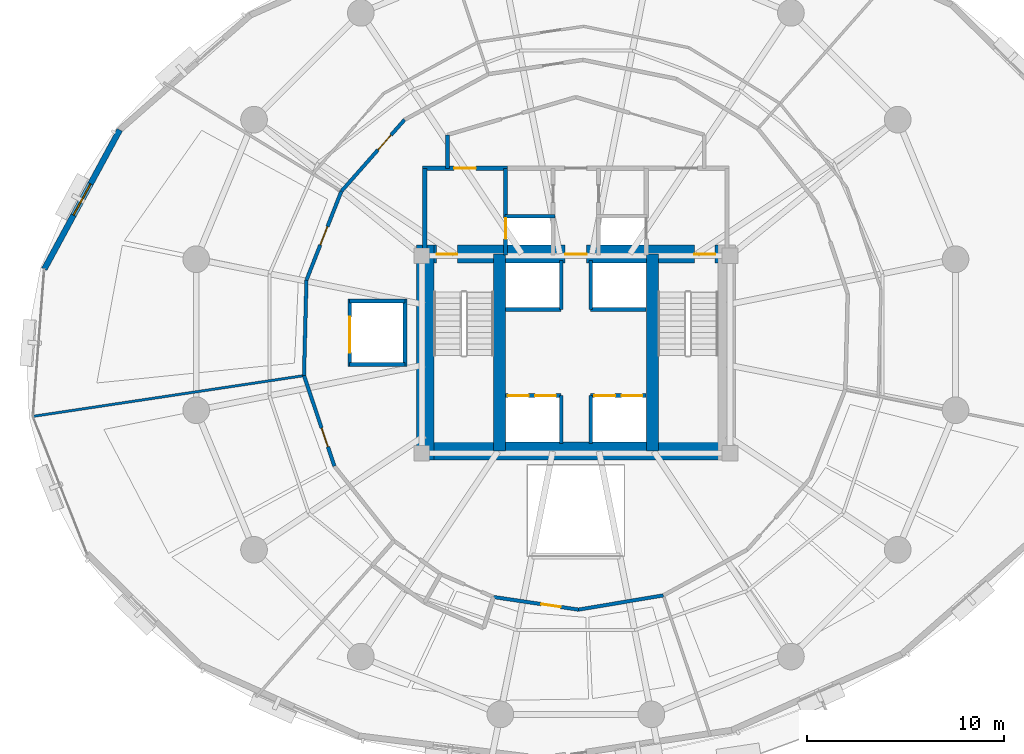
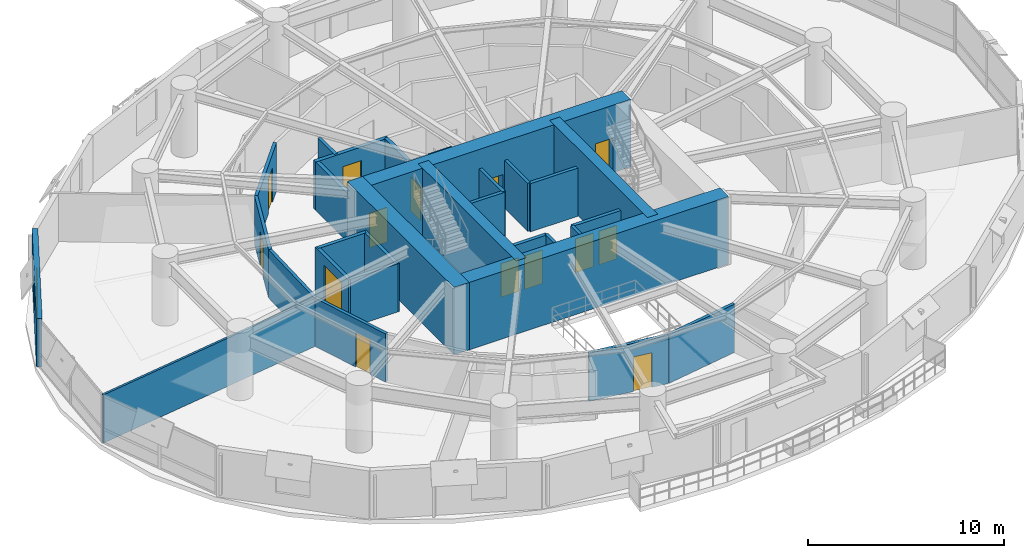
# One storey, part 12 of 17: 30 walls, 14 doors, 1 window, 15 openings.
"""IFC4 building model written with IfcOpenShell, lengths in metres."""

import ifcopenshell
import ifcopenshell.guid

model = None  # the IFC model being written
_history = None  # IfcOwnerHistory: only IFC2X3 demands one
_inside = {}  # id of a spatial element -> (the spatial element, [elements in it])
_under = {}  # id of a project, library or spatial element -> (it, [spatial elements below it])
_declared = {}  # id of a project -> (the project, [libraries it declares])
_typed = {}  # id of a type object -> (the type object, [elements of that type])
_made_of = {}  # id of a material, layer set ... -> (it, [elements and type objects made of it])


def new_model(schema):
    """Start an empty IFC model of exactly this schema.

    Asked for "IFC4X3", IfcOpenShell would pick the latest addendum, in which some entities
    have other attributes; the version numbers below select the first issue.
    IFC2X3 requires an IfcOwnerHistory on every rooted entity: one is made here for all.
    """
    global model, _history
    if schema == "IFC4X3":
        model = ifcopenshell.file(schema_version=(4, 3, 0, 0))
    else:
        model = ifcopenshell.file(schema=schema)
    _inside.clear()
    _under.clear()
    _declared.clear()
    _typed.clear()
    _made_of.clear()
    _history = None
    if model.schema == "IFC2X3":
        org = make("IfcOrganization", Name="unknown")
        user = make(
            "IfcPersonAndOrganization",
            ThePerson=make("IfcPerson", FamilyName="unknown"),
            TheOrganization=org,
        )
        app = make(
            "IfcApplication",
            ApplicationDeveloper=org,
            Version="unknown",
            ApplicationFullName="unknown",
            ApplicationIdentifier="unknown",
        )
        _history = make(
            "IfcOwnerHistory",
            OwningUser=user,
            OwningApplication=app,
            ChangeAction="ADDED",
            CreationDate=0,
        )
    return model


def make(cls, **values):
    """One entity of the class cls with the attributes given. An attribute that is None is left unset."""
    return model.create_entity(
        cls, **{name: value for name, value in values.items() if value is not None}
    )


def rooted(cls, **values):
    """An entity with a GlobalId (a new one), such as an element, a storey or a relation."""
    return make(cls, GlobalId=ifcopenshell.guid.new(), OwnerHistory=_history, **values)


def si_unit(unit_type, name, prefix=None):
    """IfcSIUnit, for example si_unit("LENGTHUNIT", "METRE", prefix="MILLI")."""
    return make("IfcSIUnit", UnitType=unit_type, Prefix=prefix, Name=name)


def assignment(units):
    """IfcUnitAssignment: the units of a project."""
    return None if units is None else make("IfcUnitAssignment", Units=units)


def point(xyz):
    """IfcCartesianPoint."""
    return None if xyz is None else make("IfcCartesianPoint", Coordinates=xyz)


def direction(xyz):
    """IfcDirection."""
    return None if xyz is None else make("IfcDirection", DirectionRatios=xyz)


def frame(location, z_axis=None, x_axis=None):
    """IfcAxis2Placement3D, a coordinate frame: its origin and axes. An axis left out is left unset."""
    return make(
        "IfcAxis2Placement3D",
        Location=point(location),
        Axis=direction(z_axis),
        RefDirection=direction(x_axis),
    )


def frame_2d(location, x_axis=None):
    """IfcAxis2Placement2D, a coordinate frame in the plane: its origin and x axis."""
    return make(
        "IfcAxis2Placement2D", Location=point(location), RefDirection=direction(x_axis)
    )


def origin():
    """The frame at (0, 0, 0) with its axes left unset."""
    return frame((0.0, 0.0, 0.0))


def place(relative_to, where):
    """IfcLocalPlacement: puts the frame where relative to a parent placement (None: the world)."""
    return make(
        "IfcLocalPlacement", PlacementRelTo=relative_to, RelativePlacement=where
    )


def context(
    kind, dimensions, precision=None, world=None, true_north=None, identifier=None
):
    """IfcGeometricRepresentationContext, for example the 3D "Model" context."""
    return make(
        "IfcGeometricRepresentationContext",
        ContextIdentifier=identifier,
        ContextType=kind,
        CoordinateSpaceDimension=dimensions,
        Precision=precision,
        WorldCoordinateSystem=world,
        TrueNorth=true_north,
    )


def subcontext(parent, identifier, kind, view, scale=None):
    """IfcGeometricRepresentationSubContext, for example "Body" below "Model"."""
    return make(
        "IfcGeometricRepresentationSubContext",
        ContextIdentifier=identifier,
        ContextType=kind,
        ParentContext=parent,
        TargetScale=scale,
        TargetView=view,
    )


def project(units=None, contexts=None):
    """IfcProject with its units and contexts."""
    return rooted(
        "IfcProject",
        Name="project",
        RepresentationContexts=contexts,
        UnitsInContext=assignment(units),
    )


def spatial(cls, under=None, at=None, **own):
    """A site, building, storey or space (cls), placed at a placement, below another one or the project."""
    s = rooted(cls, ObjectPlacement=at, **own)
    if under is not None:
        _under.setdefault(under.id(), (under, []))[1].append(s)
    return s


def profile(cls, at=None, kind="AREA", **sizes):
    """A parametric profile (cls). Its sizes go by their IFC names, for example OverallWidth=200.0."""
    return make(cls, ProfileType=kind, Position=at, **sizes)


def rectangle(**sizes):
    """IfcRectangleProfileDef."""
    return profile("IfcRectangleProfileDef", **sizes)


def extrude(swept, where, along, depth):
    """IfcExtrudedAreaSolid: the profile swept, set in the frame where, extruded along a direction by depth."""
    return make(
        "IfcExtrudedAreaSolid",
        SweptArea=swept,
        Position=where,
        ExtrudedDirection=direction(along),
        Depth=depth,
    )


def shape(context_of_items, identifier, shape_type, items):
    """IfcShapeRepresentation: the items that make up one representation, for example the "Body"."""
    return make(
        "IfcShapeRepresentation",
        ContextOfItems=context_of_items,
        RepresentationIdentifier=identifier,
        RepresentationType=shape_type,
        Items=items,
    )


def material(Name=None, Category=None):
    """IfcMaterial."""
    return make("IfcMaterial", Name=Name, Category=Category)


def layer(
    of_material, thickness, ventilated=None, Name=None, Category=None, Priority=None
):
    """IfcMaterialLayer: one layer of a wall or slab, of a material (None: an air gap)."""
    return make(
        "IfcMaterialLayer",
        Material=of_material,
        LayerThickness=thickness,
        IsVentilated=ventilated,
        Name=Name,
        Category=Category,
        Priority=Priority,
    )


def layer_set(layers, Name=None):
    """IfcMaterialLayerSet."""
    return make("IfcMaterialLayerSet", MaterialLayers=layers, LayerSetName=Name)


def made_of(thing, what):
    """Note that an element or type object is made of a material, layer set ...; save() writes the relation."""
    if what is not None:
        _made_of.setdefault(what.id(), (what, []))[1].append(thing)
    return thing


def type_object(cls, material=None, **own):
    """A type object (cls), such as IfcWallType, which elements share."""
    return made_of(rooted(cls, **own), material)


def element(
    cls,
    number,
    at=None,
    inside=None,
    cuts=None,
    type_object=None,
    material=None,
    context=None,
    identifier="Body",
    shape_type=None,
    held_by="IfcProductDefinitionShape",
    body=None,
    shapes=None,
    **own,
):
    """One element of the class cls, such as IfcWall. Its Tag is "e" and its number.

    at: its placement. inside: the storey or other place that contains it. cuts: it is an
    opening in that element (IfcRelVoidsElement). A single representation is given by context,
    identifier, shape_type and body (its items); several are given by shapes. held_by: the class
    of the entity that holds the representations. save() writes the other relations.
    """
    e = rooted(cls, Tag="e%d" % number, ObjectPlacement=at, **own)
    if body is not None:
        shapes = [shape(context, identifier, shape_type, body)]
    if shapes is not None:
        e.Representation = make(held_by, Representations=shapes)
    if inside is not None:
        _inside.setdefault(inside.id(), (inside, []))[1].append(e)
    if cuts is not None:
        rooted(
            "IfcRelVoidsElement", RelatingBuildingElement=cuts, RelatedOpeningElement=e
        )
    if type_object is not None:
        _typed.setdefault(type_object.id(), (type_object, []))[1].append(e)
    return made_of(e, material)


def fill(opening, filler):
    """IfcRelFillsElement: the door or window that sits in an opening."""
    return rooted(
        "IfcRelFillsElement",
        RelatingOpeningElement=opening,
        RelatedBuildingElement=filler,
    )


def aggregate(whole, parts):
    """IfcRelAggregates: a whole, such as a stair, and the parts it consists of."""
    return rooted("IfcRelAggregates", RelatingObject=whole, RelatedObjects=parts)


def save(model, path):
    """Write the relations noted so far, then the file.

    IfcRelAggregates (storeys below a building ...), IfcRelContainedInSpatialStructure (elements
    in a storey), IfcRelDefinesByType, IfcRelAssociatesMaterial and IfcRelDeclares: one each for
    every whole, place, type object, material and project.
    """
    for whole, parts in _under.values():
        aggregate(whole, parts)
    for where, things in _inside.values():
        rooted(
            "IfcRelContainedInSpatialStructure",
            RelatedElements=things,
            RelatingStructure=where,
        )
    for kind, things in _typed.values():
        rooted("IfcRelDefinesByType", RelatedObjects=things, RelatingType=kind)
    for what, things in _made_of.values():
        rooted("IfcRelAssociatesMaterial", RelatedObjects=things, RelatingMaterial=what)
    for by, libraries in _declared.values():
        rooted("IfcRelDeclares", RelatingContext=by, RelatedDefinitions=libraries)
    model.write(path)


model = new_model("IFC4")

# Units and contexts
model_context = context("Model", 3, precision=1e-05, world=origin(), true_north=direction((0.0, 1.0)))
body_context = subcontext(model_context, "Body", "Model", "MODEL_VIEW")
ifc_project = project(units=[si_unit("LENGTHUNIT", "METRE"), si_unit("AREAUNIT", "SQUARE_METRE"), si_unit("VOLUMEUNIT", "CUBIC_METRE"), si_unit("PLANEANGLEUNIT", "RADIAN"), si_unit("MASSUNIT", "GRAM", prefix="KILO"), si_unit("THERMODYNAMICTEMPERATUREUNIT", "KELVIN"), si_unit("POWERUNIT", "WATT")], contexts=[model_context])

# Site, building, storey
site_placement = place(None, origin())
site = spatial("IfcSite", under=ifc_project, at=site_placement, CompositionType="ELEMENT")
building_placement = place(site_placement, origin())
building = spatial("IfcBuilding", under=site, at=building_placement, Name="Ocrelia Relay Tower", CompositionType="ELEMENT")
storey_placement = place(building_placement, frame((0.0, 0.0, 67.800048828125)))
storey = spatial("IfcBuildingStorey", under=building, at=storey_placement, Name="L15", CompositionType="ELEMENT", Elevation=67.800048828125)

# Wall
ifc_material_1 = material(Name="Concrete C70/85", Category="concrete")
ifc_layer_1 = layer(ifc_material_1, 0.89990234375, Name="Concrete C70/85")
ifc_layer_set_1 = layer_set([ifc_layer_1], Name="Concrete C70/85")
wall_type_1 = type_object("IfcWallType", Name="CW-CORE-900", PredefinedType="SHEAR", material=ifc_layer_set_1)
wall_1_placement = place(storey_placement, frame((25.922119140625, 20.112060546875, 0.0), z_axis=(0.0, 0.0, 1.0), x_axis=(1.0, 0.0, 0.0)))
element("IfcWall", 1, at=wall_1_placement, inside=storey, type_object=wall_type_1, Name="L15 Core Shear Wall S", PredefinedType="SHEAR", context=body_context, shape_type="SweptSolid", body=[
    extrude(rectangle(XDim=16.165771484375, YDim=0.89990234375, at=frame_2d((8.0830078125, 0.0))), origin(), (0.0, 0.0, 1.0), 4.199951171875),
])

# Wall, openings, doors
wall_2_placement = place(storey_placement, frame((25.922119140625, 30.087890625, 0.0), z_axis=(0.0, 0.0, 1.0), x_axis=(1.0, 0.0, 0.0)))
wall_2 = element("IfcWall", 2, at=wall_2_placement, inside=storey, type_object=wall_type_1, Name="L15 Core Shear Wall N", PredefinedType="SHEAR", context=body_context, shape_type="SweptSolid", body=[
    extrude(rectangle(XDim=16.165771484375, YDim=0.89990234375, at=frame_2d((8.0830078125, 0.0))), origin(), (0.0, 0.0, 1.0), 4.199951171875),
])
opening_1_placement = place(wall_2_placement, frame((1.028076171875, 0.0, 0.0)))
opening_1 = element("IfcOpeningElement", 3, at=opening_1_placement, cuts=wall_2, Name="Opening D-FD90", PredefinedType="OPENING", context=body_context, shape_type="SweptSolid", body=[
    extrude(rectangle(XDim=1.050048828125, YDim=2.14990234375, at=frame_2d((0.52490234375, 1.074951171875))), frame((0.0, 0.4599609375, 0.0), z_axis=(0.0, -1.0, 0.0), x_axis=(1.0, 0.0, 0.0)), (0.0, 0.0, 1.0), 0.919921875),
])
opening_2_placement = place(wall_2_placement, frame((14.077880859375, 0.0, 0.0)))
opening_2 = element("IfcOpeningElement", 4, at=opening_2_placement, cuts=wall_2, Name="Opening D-FD90", PredefinedType="OPENING", context=body_context, shape_type="SweptSolid", body=[
    extrude(rectangle(XDim=1.050048828125, YDim=2.14990234375, at=frame_2d((0.52490234375, 1.074951171875))), frame((0.0, 0.4599609375, 0.0), z_axis=(0.0, -1.0, 0.0), x_axis=(1.0, 0.0, 0.0)), (0.0, 0.0, 1.0), 0.919921875),
])
opening_3_placement = place(wall_2_placement, frame((7.528076171875, 0.0, 0.0)))
opening_3 = element("IfcOpeningElement", 5, at=opening_3_placement, cuts=wall_2, Name="Opening D-FD60", PredefinedType="OPENING", context=body_context, shape_type="SweptSolid", body=[
    extrude(rectangle(XDim=1.10009765625, YDim=2.14990234375, at=frame_2d((0.550048828125, 1.074951171875))), frame((0.0, 0.4599609375, 0.0), z_axis=(0.0, -1.0, 0.0), x_axis=(1.0, 0.0, 0.0)), (0.0, 0.0, 1.0), 0.919921875),
])
ifc_material_2 = material(Name="Timber-core 60-min acoustic fire door", Category="wood")
door_type_1 = type_object("IfcDoorType", Name="DR-LOBBY-FD60-1100", OperationType="NOTDEFINED", PredefinedType="DOOR", material=ifc_material_2)
door_1_placement = place(opening_3_placement, origin())
door_1 = element("IfcDoor", 6, at=door_1_placement, inside=storey, type_object=door_type_1, Name="L15 Core Lift Lobby North Fire Door", OperationType="SINGLE_SWING_RIGHT", OverallHeight=2.14990234375, OverallWidth=1.10009765625, PredefinedType="DOOR", context=body_context, shape_type="SweptSolid", body=[
    extrude(rectangle(XDim=1.10009765625, YDim=2.14990234375, at=frame_2d((0.550048828125, 1.074951171875))), frame((0.0, 0.02490234375, 0.0), z_axis=(0.0, -1.0, 0.0), x_axis=(1.0, 0.0, 0.0)), (0.0, 0.0, 1.0), 0.050048828125),
])
fill(opening_3, door_1)
ifc_material_3 = material(Name="Steel S355 90-min fire door", Category="steel")
door_type_2 = type_object("IfcDoorType", Name="DR-STAIR-FD90-1050", OperationType="NOTDEFINED", PredefinedType="DOOR", material=ifc_material_3)
door_2_placement = place(opening_1_placement, origin())
door_2 = element("IfcDoor", 7, at=door_2_placement, inside=storey, type_object=door_type_2, Name="L15 Stair ST1 Fire Door", OperationType="SINGLE_SWING_RIGHT", OverallHeight=2.14990234375, OverallWidth=1.050048828125, PredefinedType="DOOR", context=body_context, shape_type="SweptSolid", body=[
    extrude(rectangle(XDim=1.050048828125, YDim=2.14990234375, at=frame_2d((0.52490234375, 1.074951171875))), frame((0.0, 0.02490234375, 0.0), z_axis=(0.0, -1.0, 0.0), x_axis=(1.0, 0.0, 0.0)), (0.0, 0.0, 1.0), 0.050048828125),
])
fill(opening_1, door_2)
door_3_placement = place(opening_2_placement, origin())
door_3 = element("IfcDoor", 8, at=door_3_placement, inside=storey, type_object=door_type_2, Name="L15 Stair ST2 Fire Door", OperationType="SINGLE_SWING_LEFT", OverallHeight=2.14990234375, OverallWidth=1.050048828125, PredefinedType="DOOR", context=body_context, shape_type="SweptSolid", body=[
    extrude(rectangle(XDim=1.050048828125, YDim=2.14990234375, at=frame_2d((0.52490234375, 1.074951171875))), frame((0.0, 0.02490234375, 0.0), z_axis=(0.0, -1.0, 0.0), x_axis=(1.0, 0.0, 0.0)), (0.0, 0.0, 1.0), 0.050048828125),
])
fill(opening_2, door_3)

# Walls
wall_3_placement = place(storey_placement, frame((26.3720703125, 19.662109375, 0.0), z_axis=(0.0, 0.0, 1.0), x_axis=(0.0, 1.0, 0.0)))
element("IfcWall", 9, at=wall_3_placement, inside=storey, type_object=wall_type_1, Name="L15 Core Shear Wall W", PredefinedType="SHEAR", context=body_context, shape_type="SweptSolid", body=[
    extrude(rectangle(XDim=10.8759765625, YDim=0.89990234375, at=frame_2d((5.43798828125, 0.0))), origin(), (0.0, 0.0, 1.0), 4.199951171875),
])
for number, where, z_axis, x_axis, name in (
    (10, (30.137939453125, 20.112060546875, 0.0), (0.0, 0.0, 1.0), (0.0, 1.0, 0.0), "L15 Core Shear Wall SPW"),
    (11, (37.8720703125, 20.112060546875, 0.0), (0.0, 0.0, 1.0), (0.0, 1.0, 0.0), "L15 Core Shear Wall SPE"),
):
    element("IfcWall", number, at=place(storey_placement, frame(where, z_axis=z_axis, x_axis=x_axis)), inside=storey, type_object=wall_type_1, Name=name, PredefinedType="SHEAR", context=body_context, shape_type="SweptSolid", body=[
        extrude(rectangle(XDim=9.975830078125, YDim=0.60009765625, at=frame_2d((4.98779296875, 0.0))), origin(), (0.0, 0.0, 1.0), 4.199951171875),
    ])
ifc_material_4 = material(Name="Gypsum Fireboard Partition EI60", Category="gypsum")
ifc_layer_2 = layer(ifc_material_4, 0.179931640625, Name="Gypsum Fireboard Partition EI60")
ifc_layer_set_2 = layer_set([ifc_layer_2], Name="Gypsum Fireboard Partition EI60")
wall_type_2 = type_object("IfcWallType", Name="W-CORR-EI60-180", PredefinedType="PARTITIONING", material=ifc_layer_set_2)
wall_4_placement = place(storey_placement, frame((27.5, 34.429931640625, 0.0), z_axis=(0.0, 0.0, 1.0), x_axis=(0.0, 1.0, 0.0)))
element("IfcWall", 12, at=wall_4_placement, inside=storey, type_object=wall_type_2, Name="L15 Smoke Lobby West Return", PredefinedType="PARTITIONING", context=body_context, shape_type="SweptSolid", body=[
    extrude(rectangle(XDim=1.69287109375, YDim=0.179931640625, at=frame_2d((0.846435546875, 0.0))), origin(), (0.0, 0.0, 1.0), 3.0),
])

# Wall, opening, door
wall_5_placement = place(storey_placement, frame((29.82568359375, 12.720703125, 0.0), z_axis=(0.0, 0.0, 1.0), x_axis=(0.989138956835, -0.146983414272, 0.0)))
wall_5 = element("IfcWall", 13, at=wall_5_placement, inside=storey, type_object=wall_type_2, Name="L15 Operations Control Office A Corridor Partition 1", PredefinedType="PARTITIONING", context=body_context, shape_type="SweptSolid", body=[
    extrude(rectangle(XDim=4.355224609375, YDim=0.179931640625, at=frame_2d((2.177734375, 0.0))), origin(), (0.0, 0.0, 1.0), 3.0),
])
opening_4_placement = place(wall_5_placement, frame((2.44140625, 0.0, 0.0)))
opening_4 = element("IfcOpeningElement", 14, at=opening_4_placement, cuts=wall_5, Name="Opening D-RM100", PredefinedType="OPENING", context=body_context, shape_type="SweptSolid", body=[
    extrude(rectangle(XDim=1.0, YDim=2.14990234375, at=frame_2d((0.5, 1.074951171875))), frame((0.0, 0.10009765625, 0.0), z_axis=(0.0, -1.0, 0.0), x_axis=(1.0, 0.0, 0.0)), (0.0, 0.0, 1.0), 0.199951171875),
])
ifc_material_5 = material(Name="Acoustic oak veneer fire door", Category="wood")
door_type_3 = type_object("IfcDoorType", Name="DR-ROOM-FD60-1000", OperationType="NOTDEFINED", PredefinedType="DOOR", material=ifc_material_5)
door_4_placement = place(opening_4_placement, origin())
door_4 = element("IfcDoor", 15, at=door_4_placement, inside=storey, type_object=door_type_3, Name="L15 Operations Control Office A Entrance Door", OperationType="SINGLE_SWING_RIGHT", OverallHeight=2.14990234375, OverallWidth=1.0, PredefinedType="DOOR", context=body_context, shape_type="SweptSolid", body=[
    extrude(rectangle(XDim=1.0, YDim=2.14990234375, at=frame_2d((0.5, 1.074951171875))), frame((0.0, 0.02490234375, 0.0), z_axis=(0.0, -1.0, 0.0), x_axis=(1.0, 0.0, 0.0)), (0.0, 0.0, 1.0), 0.050048828125),
])
fill(opening_4, door_4)

# Wall
wall_6_placement = place(storey_placement, frame((34.133544921875, 12.08056640625, 0.0), z_axis=(0.0, 0.0, 1.0), x_axis=(0.986138216839, 0.165925939168, 0.0)))
element("IfcWall", 16, at=wall_6_placement, inside=storey, type_object=wall_type_2, Name="L15 Operations Control Office A Corridor Partition 2", PredefinedType="PARTITIONING", context=body_context, shape_type="SweptSolid", body=[
    extrude(rectangle(XDim=4.355224609375, YDim=0.179931640625, at=frame_2d((2.177734375, 0.0))), origin(), (0.0, 0.0, 1.0), 3.0),
])

# Wall, opening, door
wall_7_placement = place(storey_placement, frame((25.3251953125, 36.88623046875, 0.0), z_axis=(0.0, 0.0, 1.0), x_axis=(-0.661965641577, -0.74953418159, 0.0)))
wall_7 = element("IfcWall", 17, at=wall_7_placement, inside=storey, type_object=wall_type_2, Name="L15 Systems Office C Corridor Partition 2", PredefinedType="PARTITIONING", context=body_context, shape_type="SweptSolid", body=[
    extrude(rectangle(XDim=4.83447265625, YDim=0.179931640625, at=frame_2d((2.417236328125, 0.0))), origin(), (0.0, 0.0, 1.0), 3.0),
])
opening_5_placement = place(wall_7_placement, frame((1.03369140625, 0.0, 0.0)))
opening_5 = element("IfcOpeningElement", 18, at=opening_5_placement, cuts=wall_7, Name="Opening D-RM100", PredefinedType="OPENING", context=body_context, shape_type="SweptSolid", body=[
    extrude(rectangle(XDim=1.0, YDim=2.14990234375, at=frame_2d((0.5, 1.074951171875))), frame((0.0, 0.10009765625, 0.0), z_axis=(0.0, -1.0, 0.0), x_axis=(1.0, 0.0, 0.0)), (0.0, 0.0, 1.0), 0.199951171875),
])
door_5_placement = place(opening_5_placement, origin())
door_5 = element("IfcDoor", 19, at=door_5_placement, inside=storey, type_object=door_type_3, Name="L15 Systems Office C Entrance Door", OperationType="SINGLE_SWING_RIGHT", OverallHeight=2.14990234375, OverallWidth=1.0, PredefinedType="DOOR", context=body_context, shape_type="SweptSolid", body=[
    extrude(rectangle(XDim=1.0, YDim=2.14990234375, at=frame_2d((0.5, 1.074951171875))), frame((0.0, 0.02490234375, 0.0), z_axis=(0.0, -1.0, 0.0), x_axis=(1.0, 0.0, 0.0)), (0.0, 0.0, 1.0), 0.050048828125),
])
fill(opening_5, door_5)

wall_8_placement = place(storey_placement, frame((22.125, 33.2626953125, 0.0), z_axis=(0.0, 0.0, 1.0), x_axis=(-0.365724243793, -0.930723255056, 0.0)))
wall_8 = element("IfcWall", 20, at=wall_8_placement, inside=storey, type_object=wall_type_2, Name="L15 Carrier Briefing Room Corridor Partition 1", PredefinedType="PARTITIONING", context=body_context, shape_type="SweptSolid", body=[
    extrude(rectangle(XDim=4.83447265625, YDim=0.179931640625, at=frame_2d((2.417236328125, 0.0))), origin(), (0.0, 0.0, 1.0), 3.0),
])
opening_6_placement = place(wall_8_placement, frame((1.917236328125, 0.0, 0.0)))
opening_6 = element("IfcOpeningElement", 21, at=opening_6_placement, cuts=wall_8, Name="Opening D-RM100", PredefinedType="OPENING", context=body_context, shape_type="SweptSolid", body=[
    extrude(rectangle(XDim=1.0, YDim=2.14990234375, at=frame_2d((0.5, 1.074951171875))), frame((0.0, 0.10009765625, 0.0), z_axis=(0.0, -1.0, 0.0), x_axis=(1.0, 0.0, 0.0)), (0.0, 0.0, 1.0), 0.199951171875),
])
door_6_placement = place(opening_6_placement, origin())
door_6 = element("IfcDoor", 22, at=door_6_placement, inside=storey, type_object=door_type_3, Name="L15 Carrier Briefing Room Entrance Door", OperationType="SINGLE_SWING_RIGHT", OverallHeight=2.14990234375, OverallWidth=1.0, PredefinedType="DOOR", context=body_context, shape_type="SweptSolid", body=[
    extrude(rectangle(XDim=1.0, YDim=2.14990234375, at=frame_2d((0.5, 1.074951171875))), frame((0.0, 0.02490234375, 0.0), z_axis=(0.0, -1.0, 0.0), x_axis=(1.0, 0.0, 0.0)), (0.0, 0.0, 1.0), 0.050048828125),
])
fill(opening_6, door_6)

# Wall
wall_9_placement = place(storey_placement, frame((20.35693359375, 28.76318359375, 0.0), z_axis=(0.0, 0.0, 1.0), x_axis=(-0.025301319276, -0.99967987038, 0.0)))
element("IfcWall", 23, at=wall_9_placement, inside=storey, type_object=wall_type_2, Name="L15 Carrier Briefing Room Corridor Partition 2", PredefinedType="PARTITIONING", context=body_context, shape_type="SweptSolid", body=[
    extrude(rectangle(XDim=4.834228515625, YDim=0.179931640625, at=frame_2d((2.4169921875, 0.0))), origin(), (0.0, 0.0, 1.0), 3.0),
])

# Wall, opening, door
wall_10_placement = place(storey_placement, frame((20.234619140625, 23.930419921875, 0.0), z_axis=(0.0, 0.0, 1.0), x_axis=(0.31816640529, -0.948034882557, 0.0)))
wall_10 = element("IfcWall", 24, at=wall_10_placement, inside=storey, type_object=wall_type_2, Name="L15 Network Monitoring Studio Corridor Partition 1", PredefinedType="PARTITIONING", context=body_context, shape_type="SweptSolid", body=[
    extrude(rectangle(XDim=4.834228515625, YDim=0.179931640625, at=frame_2d((2.4169921875, 0.0))), origin(), (0.0, 0.0, 1.0), 3.0),
])
opening_7_placement = place(wall_10_placement, frame((2.80078125, 0.0, 0.0)))
opening_7 = element("IfcOpeningElement", 25, at=opening_7_placement, cuts=wall_10, Name="Opening D-RM100", PredefinedType="OPENING", context=body_context, shape_type="SweptSolid", body=[
    extrude(rectangle(XDim=1.0, YDim=2.14990234375, at=frame_2d((0.5, 1.074951171875))), frame((0.0, 0.10009765625, 0.0), z_axis=(0.0, -1.0, 0.0), x_axis=(1.0, 0.0, 0.0)), (0.0, 0.0, 1.0), 0.199951171875),
])
door_7_placement = place(opening_7_placement, origin())
door_7 = element("IfcDoor", 26, at=door_7_placement, inside=storey, type_object=door_type_3, Name="L15 Network Monitoring Studio Entrance Door", OperationType="SINGLE_SWING_LEFT", OverallHeight=2.14990234375, OverallWidth=1.0, PredefinedType="DOOR", context=body_context, shape_type="SweptSolid", body=[
    extrude(rectangle(XDim=1.0, YDim=2.14990234375, at=frame_2d((0.5, 1.074951171875))), frame((0.0, 0.02490234375, 0.0), z_axis=(0.0, -1.0, 0.0), x_axis=(1.0, 0.0, 0.0)), (0.0, 0.0, 1.0), 0.050048828125),
])
fill(opening_7, door_7)

# Wall, opening, window
ifc_material_6 = material(Name="Precast concrete C40/50 with oxide terracotta", Category="masonry")
ifc_layer_3 = layer(ifc_material_6, 0.300048828125, Name="Precast concrete C40/50 with oxide terracotta")
ifc_layer_set_3 = layer_set([ifc_layer_3], Name="Precast concrete C40/50 with oxide terracotta")
wall_type_3 = type_object("IfcWallType", Name="W-EXT-TERR-300", PredefinedType="SOLIDWALL", material=ifc_layer_set_3)
wall_11_placement = place(storey_placement, frame((10.905029296875, 36.373046875, 0.0), z_axis=(0.0, 0.0, 1.0), x_axis=(-0.476385116332, -0.879236726336, 0.0)))
wall_11 = element("IfcWall", 27, at=wall_11_placement, inside=storey, type_object=wall_type_3, Name="L15 Oxide Terracotta Facade Wall 08", PredefinedType="SOLIDWALL", context=body_context, shape_type="SweptSolid", body=[
    extrude(rectangle(XDim=8.021484375, YDim=0.300048828125, at=frame_2d((4.0107421875, 0.0))), origin(), (0.0, 0.0, 1.0), 3.0),
])
opening_8_placement = place(wall_11_placement, frame((3.111083984375, 0.0, 0.800048828125)))
opening_8 = element("IfcOpeningElement", 28, at=opening_8_placement, cuts=wall_11, Name="Opening W-02", PredefinedType="OPENING", context=body_context, shape_type="SweptSolid", body=[
    extrude(rectangle(XDim=1.800048828125, YDim=1.949951171875, at=frame_2d((0.89990234375, 0.97509765625))), frame((0.0, 0.16015625, 0.0), z_axis=(0.0, -1.0, 0.0), x_axis=(1.0, 0.0, 0.0)), (0.0, 0.0, 1.0), 0.320068359375),
])
ifc_material_7 = material(Name="Clear double-glazed low-E glass", Category="glass")
window_type = type_object("IfcWindowType", Name="WIN-Z1-1800x2100", PartitioningType="DOUBLE_PANEL_VERTICAL", PredefinedType="WINDOW", material=ifc_material_7)
window_placement = place(opening_8_placement, origin())
window = element("IfcWindow", 29, at=window_placement, inside=storey, type_object=window_type, Name="L15 Facade Module Window 08", OverallHeight=1.949951171875, OverallWidth=1.800048828125, PartitioningType="SINGLE_PANEL", PredefinedType="WINDOW", context=body_context, shape_type="SweptSolid", body=[
    extrude(rectangle(XDim=1.800048828125, YDim=1.949951171875, at=frame_2d((0.89990234375, 0.97509765625))), frame((0.0, 0.030029296875, 0.0), z_axis=(0.0, -1.0, 0.0), x_axis=(1.0, 0.0, 0.0)), (0.0, 0.0, 1.0), 0.06005859375),
])
fill(opening_8, window)

# Wall
ifc_material_8 = material(Name="Concrete C50/60", Category="concrete")
ifc_layer_4 = layer(ifc_material_8, 0.219970703125, Name="Concrete C50/60")
ifc_layer_set_4 = layer_set([ifc_layer_4], Name="Concrete C50/60")
wall_type_4 = type_object("IfcWallType", Name="W-FFL-EI120-220", PredefinedType="SOLIDWALL", material=ifc_layer_set_4)
wall_12_placement = place(storey_placement, frame((26.35009765625, 30.050048828125, 0.0), z_axis=(0.0, 0.0, 1.0), x_axis=(0.0, 1.0, 0.0)))
element("IfcWall", 30, at=wall_12_placement, inside=storey, type_object=wall_type_4, Name="L15 W Fire Service Lift Lobby West Wall", PredefinedType="SOLIDWALL", context=body_context, shape_type="SweptSolid", body=[
    extrude(rectangle(XDim=4.3798828125, YDim=0.219970703125, at=frame_2d((2.18994140625, 0.0))), origin(), (0.0, 0.0, 1.0), 3.0),
])

# Wall, opening, door
wall_13_placement = place(storey_placement, frame((30.43994140625, 30.050048828125, 0.0), z_axis=(0.0, 0.0, 1.0), x_axis=(0.0, 1.0, 0.0)))
wall_13 = element("IfcWall", 31, at=wall_13_placement, inside=storey, type_object=wall_type_4, Name="L15 W Fire Service Lift Lobby East Wall", PredefinedType="SOLIDWALL", context=body_context, shape_type="SweptSolid", body=[
    extrude(rectangle(XDim=4.3798828125, YDim=0.219970703125, at=frame_2d((2.18994140625, 0.0))), origin(), (0.0, 0.0, 1.0), 3.0),
])
opening_9_placement = place(wall_13_placement, frame((0.800048828125, 0.0, 0.0)))
opening_9 = element("IfcOpeningElement", 32, at=opening_9_placement, cuts=wall_13, Name="Opening LD-FFL1", PredefinedType="OPENING", context=body_context, shape_type="SweptSolid", body=[
    extrude(rectangle(XDim=1.050048828125, YDim=2.10009765625, at=frame_2d((0.52490234375, 1.050048828125))), frame((0.0, 0.1201171875, 0.0), z_axis=(0.0, -1.0, 0.0), x_axis=(1.0, 0.0, 0.0)), (0.0, 0.0, 1.0), 0.239990234375),
])
ifc_material_9 = material(Name="Brushed stainless steel S355 lift landing door", Category="steel")
door_type_4 = type_object("IfcDoorType", Name="DR-LIFT-LAND-1050", OperationType="DOUBLE_DOOR_SLIDING", PredefinedType="USERDEFINED", material=ifc_material_9)
door_8_placement = place(opening_9_placement, origin())
door_8 = element("IfcDoor", 33, at=door_8_placement, inside=storey, type_object=door_type_4, Name="L15 Firefighting Lift FFL1 Sliding Landing Door", ObjectType="LANDING DOOR", OperationType="DOUBLE_DOOR_SLIDING", OverallHeight=2.10009765625, OverallWidth=1.050048828125, PredefinedType="USERDEFINED", context=body_context, shape_type="SweptSolid", body=[
    extrude(rectangle(XDim=1.050048828125, YDim=2.10009765625, at=frame_2d((0.52490234375, 1.050048828125))), frame((0.0, 0.02490234375, 0.0), z_axis=(0.0, -1.0, 0.0), x_axis=(1.0, 0.0, 0.0)), (0.0, 0.0, 1.0), 0.050048828125),
])
fill(opening_9, door_8)

wall_14_placement = place(storey_placement, frame((26.239990234375, 34.429931640625, 0.0), z_axis=(0.0, 0.0, 1.0), x_axis=(1.0, 0.0, 0.0)))
wall_14 = element("IfcWall", 34, at=wall_14_placement, inside=storey, type_object=wall_type_4, Name="L15 W Fire Service Lift Lobby North Wall", PredefinedType="SOLIDWALL", context=body_context, shape_type="SweptSolid", body=[
    extrude(rectangle(XDim=4.31005859375, YDim=0.219970703125, at=frame_2d((2.155029296875, 0.0))), origin(), (0.0, 0.0, 1.0), 3.0),
])
opening_10_placement = place(wall_14_placement, frame((1.60009765625, 0.0, 0.0)))
opening_10 = element("IfcOpeningElement", 35, at=opening_10_placement, cuts=wall_14, Name="Opening D-FD60", PredefinedType="OPENING", context=body_context, shape_type="SweptSolid", body=[
    extrude(rectangle(XDim=1.10009765625, YDim=2.14990234375, at=frame_2d((0.550048828125, 1.074951171875))), frame((0.0, 0.1201171875, 0.0), z_axis=(0.0, -1.0, 0.0), x_axis=(1.0, 0.0, 0.0)), (0.0, 0.0, 1.0), 0.239990234375),
])
door_9_placement = place(opening_10_placement, origin())
door_9 = element("IfcDoor", 36, at=door_9_placement, inside=storey, type_object=door_type_1, Name="L15 W Fire Service Lift Lobby Exit Door", OperationType="SINGLE_SWING_LEFT", OverallHeight=2.14990234375, OverallWidth=1.10009765625, PredefinedType="DOOR", context=body_context, shape_type="SweptSolid", body=[
    extrude(rectangle(XDim=1.10009765625, YDim=2.14990234375, at=frame_2d((0.550048828125, 1.074951171875))), frame((0.0, 0.02490234375, 0.0), z_axis=(0.0, -1.0, 0.0), x_axis=(1.0, 0.0, 0.0)), (0.0, 0.0, 1.0), 0.050048828125),
])
fill(opening_10, door_9)

# Walls
ifc_material_10 = material(Name="Acoustic Fireboard Partition EI60", Category="gypsum")
ifc_layer_5 = layer(ifc_material_10, 0.125, Name="Acoustic Fireboard Partition EI60")
ifc_layer_set_5 = layer_set([ifc_layer_5], Name="Acoustic Fireboard Partition EI60")
wall_type_5 = type_object("IfcWallType", Name="W-PART-125", PredefinedType="PARTITIONING", material=ifc_layer_set_5)
wall_15_placement = place(storey_placement, frame((20.234619140625, 23.930419921875, 0.0), z_axis=(0.0, 0.0, 1.0), x_axis=(-0.988887271611, -0.148667293128, 0.0)))
element("IfcWall", 37, at=wall_15_placement, inside=storey, type_object=wall_type_5, Name="L15 Carrier Briefing Room Radial Partition", PredefinedType="PARTITIONING", context=body_context, shape_type="SweptSolid", body=[
    extrude(rectangle(XDim=13.8798828125, YDim=0.125, at=frame_2d((6.93994140625, 0.0))), origin(), (0.0, 0.0, 1.0), 3.0),
])
ifc_layer_6 = layer(ifc_material_8, 0.199951171875, Name="Concrete C50/60")
ifc_layer_set_6 = layer_set([ifc_layer_6], Name="Concrete C50/60")
wall_type_6 = type_object("IfcWallType", Name="W-SHAFT-EI120-200", PredefinedType="SOLIDWALL", material=ifc_layer_set_6)
wall_16_placement = place(storey_placement, frame((30.39990234375, 32.0, 0.0), z_axis=(0.0, 0.0, 1.0), x_axis=(1.0, 0.0, 0.0)))
element("IfcWall", 38, at=wall_16_placement, inside=storey, type_object=wall_type_6, Name="L15 FFL1 Hoistway North Wall", PredefinedType="SOLIDWALL", context=body_context, shape_type="SweptSolid", body=[
    extrude(rectangle(XDim=2.550048828125, YDim=0.199951171875, at=frame_2d((1.27490234375, 0.0))), origin(), (0.0, 0.0, 1.0), 3.0),
])

# Wall, openings, doors
wall_17_placement = place(storey_placement, frame((30.43994140625, 22.919921875, 0.0), z_axis=(0.0, 0.0, 1.0), x_axis=(1.0, 0.0, 0.0)))
wall_17 = element("IfcWall", 39, at=wall_17_placement, inside=storey, type_object=wall_type_6, Name="L15 Low-Rise Lift Hoistway Wall W", PredefinedType="SOLIDWALL", context=body_context, shape_type="SweptSolid", body=[
    extrude(rectangle(XDim=2.81005859375, YDim=0.199951171875, at=frame_2d((1.405029296875, 0.0))), origin(), (0.0, 0.0, 1.0), 3.0),
])
opening_11_placement = place(wall_17_placement, frame((0.1201171875, 0.0, 0.0)))
opening_11 = element("IfcOpeningElement", 40, at=opening_11_placement, cuts=wall_17, Name="Opening LD-PL1", PredefinedType="OPENING", context=body_context, shape_type="SweptSolid", body=[
    extrude(rectangle(XDim=1.050048828125, YDim=2.10009765625, at=frame_2d((0.52490234375, 1.050048828125))), frame((0.0, 0.10986328125, 0.0), z_axis=(0.0, -1.0, 0.0), x_axis=(1.0, 0.0, 0.0)), (0.0, 0.0, 1.0), 0.219970703125),
])
opening_12_placement = place(wall_17_placement, frame((1.5, 0.0, 0.0)))
opening_12 = element("IfcOpeningElement", 41, at=opening_12_placement, cuts=wall_17, Name="Opening LD-PL2", PredefinedType="OPENING", context=body_context, shape_type="SweptSolid", body=[
    extrude(rectangle(XDim=1.050048828125, YDim=2.10009765625, at=frame_2d((0.52490234375, 1.050048828125))), frame((0.0, 0.10986328125, 0.0), z_axis=(0.0, -1.0, 0.0), x_axis=(1.0, 0.0, 0.0)), (0.0, 0.0, 1.0), 0.219970703125),
])
door_10_placement = place(opening_11_placement, origin())
door_10 = element("IfcDoor", 42, at=door_10_placement, inside=storey, type_object=door_type_4, Name="L15 Passenger Lift PL1 Sliding Landing Door", ObjectType="LANDING DOOR", OperationType="DOUBLE_DOOR_SLIDING", OverallHeight=2.10009765625, OverallWidth=1.050048828125, PredefinedType="USERDEFINED", context=body_context, shape_type="SweptSolid", body=[
    extrude(rectangle(XDim=1.050048828125, YDim=2.10009765625, at=frame_2d((0.52490234375, 1.050048828125))), frame((0.0, 0.02490234375, 0.0), z_axis=(0.0, -1.0, 0.0), x_axis=(1.0, 0.0, 0.0)), (0.0, 0.0, 1.0), 0.050048828125),
])
fill(opening_11, door_10)
door_11_placement = place(opening_12_placement, origin())
door_11 = element("IfcDoor", 43, at=door_11_placement, inside=storey, type_object=door_type_4, Name="L15 Passenger Lift PL2 Sliding Landing Door", ObjectType="LANDING DOOR", OperationType="DOUBLE_DOOR_SLIDING", OverallHeight=2.10009765625, OverallWidth=1.050048828125, PredefinedType="USERDEFINED", context=body_context, shape_type="SweptSolid", body=[
    extrude(rectangle(XDim=1.050048828125, YDim=2.10009765625, at=frame_2d((0.52490234375, 1.050048828125))), frame((0.0, 0.02490234375, 0.0), z_axis=(0.0, -1.0, 0.0), x_axis=(1.0, 0.0, 0.0)), (0.0, 0.0, 1.0), 0.050048828125),
])
fill(opening_12, door_11)

# Wall
wall_18_placement = place(storey_placement, frame((33.25, 20.5, 0.0), z_axis=(0.0, 0.0, 1.0), x_axis=(0.0, 1.0, 0.0)))
element("IfcWall", 44, at=wall_18_placement, inside=storey, type_object=wall_type_6, Name="L15 Low-Rise Lift Throat Wall W", PredefinedType="SOLIDWALL", context=body_context, shape_type="SweptSolid", body=[
    extrude(rectangle(XDim=2.419921875, YDim=0.179931640625, at=frame_2d((1.2099609375, 0.0))), origin(), (0.0, 0.0, 1.0), 3.0),
])

# Wall, openings, doors
wall_19_placement = place(storey_placement, frame((34.75, 22.919921875, 0.0), z_axis=(0.0, 0.0, 1.0), x_axis=(1.0, 0.0, 0.0)))
wall_19 = element("IfcWall", 45, at=wall_19_placement, inside=storey, type_object=wall_type_6, Name="L15 Low-Rise Lift Hoistway Wall E", PredefinedType="SOLIDWALL", context=body_context, shape_type="SweptSolid", body=[
    extrude(rectangle(XDim=2.81005859375, YDim=0.199951171875, at=frame_2d((1.405029296875, 0.0))), origin(), (0.0, 0.0, 1.0), 3.0),
])
opening_13_placement = place(wall_19_placement, frame((0.18994140625, 0.0, 0.0)))
opening_13 = element("IfcOpeningElement", 46, at=opening_13_placement, cuts=wall_19, Name="Opening LD-PL3", PredefinedType="OPENING", context=body_context, shape_type="SweptSolid", body=[
    extrude(rectangle(XDim=1.050048828125, YDim=2.10009765625, at=frame_2d((0.52490234375, 1.050048828125))), frame((0.0, 0.10986328125, 0.0), z_axis=(0.0, -1.0, 0.0), x_axis=(1.0, 0.0, 0.0)), (0.0, 0.0, 1.0), 0.219970703125),
])
opening_14_placement = place(wall_19_placement, frame((1.570068359375, 0.0, 0.0)))
opening_14 = element("IfcOpeningElement", 47, at=opening_14_placement, cuts=wall_19, Name="Opening LD-PL4", PredefinedType="OPENING", context=body_context, shape_type="SweptSolid", body=[
    extrude(rectangle(XDim=1.050048828125, YDim=2.10009765625, at=frame_2d((0.52490234375, 1.050048828125))), frame((0.0, 0.10986328125, 0.0), z_axis=(0.0, -1.0, 0.0), x_axis=(1.0, 0.0, 0.0)), (0.0, 0.0, 1.0), 0.219970703125),
])
door_12_placement = place(opening_13_placement, origin())
door_12 = element("IfcDoor", 48, at=door_12_placement, inside=storey, type_object=door_type_4, Name="L15 Passenger Lift PL3 Sliding Landing Door", ObjectType="LANDING DOOR", OperationType="DOUBLE_DOOR_SLIDING", OverallHeight=2.10009765625, OverallWidth=1.050048828125, PredefinedType="USERDEFINED", context=body_context, shape_type="SweptSolid", body=[
    extrude(rectangle(XDim=1.050048828125, YDim=2.10009765625, at=frame_2d((0.52490234375, 1.050048828125))), frame((0.0, 0.02490234375, 0.0), z_axis=(0.0, -1.0, 0.0), x_axis=(1.0, 0.0, 0.0)), (0.0, 0.0, 1.0), 0.050048828125),
])
fill(opening_13, door_12)
door_13_placement = place(opening_14_placement, origin())
door_13 = element("IfcDoor", 49, at=door_13_placement, inside=storey, type_object=door_type_4, Name="L15 Passenger Lift PL4 Sliding Landing Door", ObjectType="LANDING DOOR", OperationType="DOUBLE_DOOR_SLIDING", OverallHeight=2.10009765625, OverallWidth=1.050048828125, PredefinedType="USERDEFINED", context=body_context, shape_type="SweptSolid", body=[
    extrude(rectangle(XDim=1.050048828125, YDim=2.10009765625, at=frame_2d((0.52490234375, 1.050048828125))), frame((0.0, 0.02490234375, 0.0), z_axis=(0.0, -1.0, 0.0), x_axis=(1.0, 0.0, 0.0)), (0.0, 0.0, 1.0), 0.050048828125),
])
fill(opening_14, door_13)

# Walls
wall_20_placement = place(storey_placement, frame((34.75, 20.5, 0.0), z_axis=(0.0, 0.0, 1.0), x_axis=(0.0, 1.0, 0.0)))
element("IfcWall", 50, at=wall_20_placement, inside=storey, type_object=wall_type_6, Name="L15 Low-Rise Lift Throat Wall E", PredefinedType="SOLIDWALL", context=body_context, shape_type="SweptSolid", body=[
    extrude(rectangle(XDim=2.419921875, YDim=0.179931640625, at=frame_2d((1.2099609375, 0.0))), origin(), (0.0, 0.0, 1.0), 3.0),
])
wall_21_placement = place(storey_placement, frame((30.43994140625, 27.280029296875, 0.0), z_axis=(0.0, 0.0, 1.0), x_axis=(1.0, 0.0, 0.0)))
element("IfcWall", 51, at=wall_21_placement, inside=storey, type_object=wall_type_6, Name="L15 High-Rise Lift Hoistway Wall W", PredefinedType="SOLIDWALL", context=body_context, shape_type="SweptSolid", body=[
    extrude(rectangle(XDim=2.81005859375, YDim=0.199951171875, at=frame_2d((1.405029296875, 0.0))), origin(), (0.0, 0.0, 1.0), 3.0),
])
wall_22_placement = place(storey_placement, frame((33.25, 27.280029296875, 0.0), z_axis=(0.0, 0.0, 1.0), x_axis=(0.0, 1.0, 0.0)))
element("IfcWall", 52, at=wall_22_placement, inside=storey, type_object=wall_type_6, Name="L15 High-Rise Lift Throat Wall W", PredefinedType="SOLIDWALL", context=body_context, shape_type="SweptSolid", body=[
    extrude(rectangle(XDim=2.469970703125, YDim=0.179931640625, at=frame_2d((1.23486328125, 0.0))), origin(), (0.0, 0.0, 1.0), 3.0),
])
wall_23_placement = place(storey_placement, frame((34.75, 27.280029296875, 0.0), z_axis=(0.0, 0.0, 1.0), x_axis=(1.0, 0.0, 0.0)))
element("IfcWall", 53, at=wall_23_placement, inside=storey, type_object=wall_type_6, Name="L15 High-Rise Lift Hoistway Wall E", PredefinedType="SOLIDWALL", context=body_context, shape_type="SweptSolid", body=[
    extrude(rectangle(XDim=2.81005859375, YDim=0.199951171875, at=frame_2d((1.405029296875, 0.0))), origin(), (0.0, 0.0, 1.0), 3.0),
])
wall_24_placement = place(storey_placement, frame((34.75, 27.280029296875, 0.0), z_axis=(0.0, 0.0, 1.0), x_axis=(0.0, 1.0, 0.0)))
element("IfcWall", 54, at=wall_24_placement, inside=storey, type_object=wall_type_6, Name="L15 High-Rise Lift Throat Wall E", PredefinedType="SOLIDWALL", context=body_context, shape_type="SweptSolid", body=[
    extrude(rectangle(XDim=2.469970703125, YDim=0.179931640625, at=frame_2d((1.23486328125, 0.0))), origin(), (0.0, 0.0, 1.0), 3.0),
])

# Wall, opening, door
wall_25_placement = place(storey_placement, frame((22.550048828125, 24.39990234375, 0.0), z_axis=(0.0, 0.0, 1.0), x_axis=(0.0, 1.0, 0.0)))
wall_25 = element("IfcWall", 55, at=wall_25_placement, inside=storey, type_object=wall_type_6, Name="L15 Goods Lift Shaft West Wall", PredefinedType="SOLIDWALL", context=body_context, shape_type="SweptSolid", body=[
    extrude(rectangle(XDim=3.400146484375, YDim=0.199951171875, at=frame_2d((1.7001953125, 0.0))), origin(), (0.0, 0.0, 1.0), 3.0),
])
opening_15_placement = place(wall_25_placement, frame((0.699951171875, 0.0, 0.0)))
opening_15 = element("IfcOpeningElement", 56, at=opening_15_placement, cuts=wall_25, Name="Opening LD-GL1", PredefinedType="OPENING", context=body_context, shape_type="SweptSolid", body=[
    extrude(rectangle(XDim=1.800048828125, YDim=2.39990234375, at=frame_2d((0.89990234375, 1.199951171875))), frame((0.0, 0.10986328125, 0.0), z_axis=(0.0, -1.0, 0.0), x_axis=(1.0, 0.0, 0.0)), (0.0, 0.0, 1.0), 0.219970703125),
])
ifc_material_11 = material(Name="Heavy-duty stainless steel S355 goods landing door", Category="steel")
door_type_5 = type_object("IfcDoorType", Name="DR-GOODS-LAND-1800", OperationType="DOUBLE_DOOR_SLIDING", PredefinedType="USERDEFINED", material=ifc_material_11)
door_14_placement = place(opening_15_placement, origin())
door_14 = element("IfcDoor", 57, at=door_14_placement, inside=storey, type_object=door_type_5, Name="L15 Goods Lift GL1 Sliding Landing Door", ObjectType="LANDING DOOR", OperationType="DOUBLE_DOOR_SLIDING", OverallHeight=2.39990234375, OverallWidth=1.800048828125, PredefinedType="USERDEFINED", context=body_context, shape_type="SweptSolid", body=[
    extrude(rectangle(XDim=1.800048828125, YDim=2.39990234375, at=frame_2d((0.89990234375, 1.199951171875))), frame((0.0, 0.02490234375, 0.0), z_axis=(0.0, -1.0, 0.0), x_axis=(1.0, 0.0, 0.0)), (0.0, 0.0, 1.0), 0.050048828125),
])
fill(opening_15, door_14)

# Walls
wall_26_placement = place(storey_placement, frame((25.35009765625, 24.39990234375, 0.0), z_axis=(0.0, 0.0, 1.0), x_axis=(0.0, 1.0, 0.0)))
element("IfcWall", 58, at=wall_26_placement, inside=storey, type_object=wall_type_6, Name="L15 Goods Lift Shaft E Wall", PredefinedType="SOLIDWALL", context=body_context, shape_type="SweptSolid", body=[
    extrude(rectangle(XDim=3.400146484375, YDim=0.199951171875, at=frame_2d((1.7001953125, 0.0))), origin(), (0.0, 0.0, 1.0), 3.0),
])
for number, where, z_axis, x_axis, name in (
    (59, (22.550048828125, 24.5, 0.0), (0.0, 0.0, 1.0), (1.0, 0.0, 0.0), "L15 Goods Lift Shaft S Wall"),
    (60, (22.550048828125, 27.699951171875, 0.0), (0.0, 0.0, 1.0), (1.0, 0.0, 0.0), "L15 Goods Lift Shaft N Wall"),
):
    element("IfcWall", number, at=place(storey_placement, frame(where, z_axis=z_axis, x_axis=x_axis)), inside=storey, type_object=wall_type_6, Name=name, PredefinedType="SOLIDWALL", context=body_context, shape_type="SweptSolid", body=[
        extrude(rectangle(XDim=2.800048828125, YDim=0.199951171875, at=frame_2d((1.39990234375, 0.0))), origin(), (0.0, 0.0, 1.0), 3.0),
    ])

save(model, "model.ifc")
